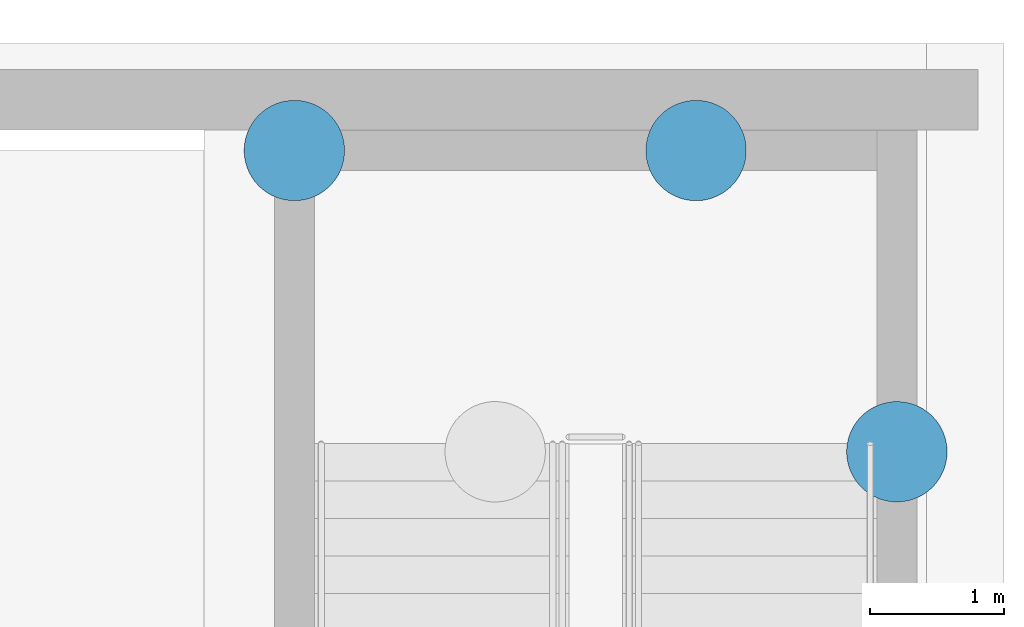
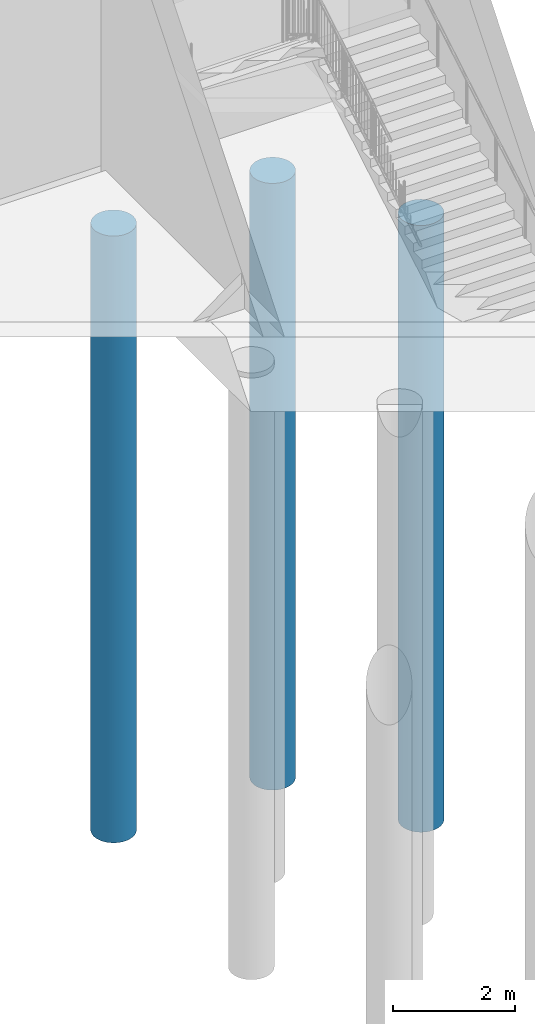
# One storey, part 5 of 106: 3 piles.
"""IFC4 building model written with IfcOpenShell, lengths in metres."""

from ifc_helpers import new_model, si_unit, direction, frame, origin, origin_2d, place, context, subcontext, project, spatial, circle, extrude, material, material_profile, profile_set, type_object, element, save


model = new_model("IFC4")

# Units and contexts
model_context = context("Model", 3, precision=1e-05, world=origin(), true_north=direction((0.0, 1.0)))
body_context = subcontext(model_context, "Body", "Model", "MODEL_VIEW")
ifc_project = project(units=[si_unit("LENGTHUNIT", "METRE"), si_unit("AREAUNIT", "SQUARE_METRE"), si_unit("VOLUMEUNIT", "CUBIC_METRE"), si_unit("PLANEANGLEUNIT", "RADIAN"), si_unit("MASSUNIT", "GRAM", prefix="KILO")], contexts=[model_context])

# Site, building, storey
site_placement = place(None, origin())
site = spatial("IfcSite", under=ifc_project, at=site_placement, CompositionType="ELEMENT")
building_placement = place(site_placement, origin())
building = spatial("IfcBuilding", under=site, at=building_placement, Name="Hortulan Conservatory and Botanical Research Centre", CompositionType="ELEMENT")
storey_placement = place(building_placement, origin())
storey = spatial("IfcBuildingStorey", under=building, at=storey_placement, Name="L00", CompositionType="ELEMENT", Elevation=0.0)

# Piles
ifc_material = material(Name="Concrete N40 (40 MPa, AS 3600)", Category="concrete")
ifc_material_profile = material_profile(ifc_material, circle(Radius=0.375, at=origin_2d()), Name="Bored pile 750 diameter")
ifc_profile_set = profile_set([ifc_material_profile], Name="Concrete N40 (40 MPa, AS 3600)")
pile_type = type_object("IfcPileType", Name="Bored Pile 750", PredefinedType="BORED", material=ifc_profile_set)
for number, where, z_axis, x_axis, name in (
    (1, (103.5, 72.0, -1.10009765625), (0.0, 0.0, -1.0), (1.0, 0.0, 0.0), "Bored pile 750"),
    (2, (106.5, 72.0, -1.10009765625), (0.0, 0.0, -1.0), (1.0, 0.0, 0.0), "Bored pile 750"),
    (3, (108.0, 69.75, -1.10009765625), (0.0, 0.0, -1.0), (1.0, 0.0, 0.0), "Bored pile 750"),
):
    element("IfcPile", number, at=place(storey_placement, frame(where, z_axis=z_axis, x_axis=x_axis)), inside=storey, type_object=pile_type, Name=name, PredefinedType="BORED", context=body_context, shape_type="SweptSolid", body=[
        extrude(circle(Radius=0.375, at=origin_2d()), origin(), (0.0, 0.0, 1.0), 12.10009765625),
    ])

save(model, "model.ifc")
